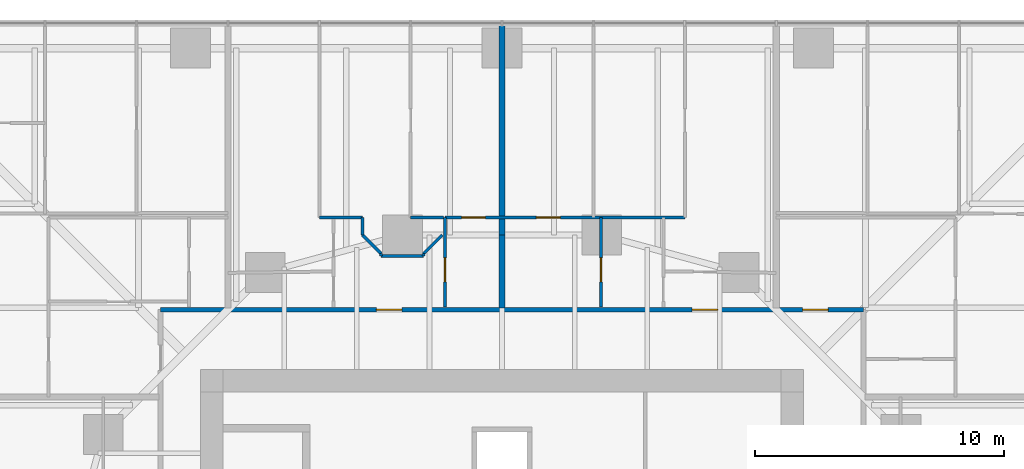
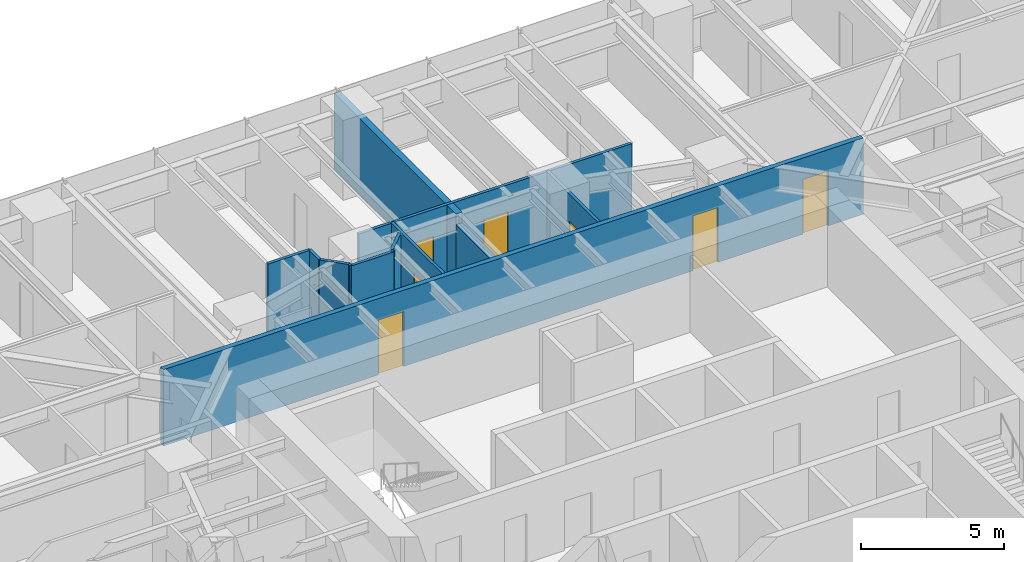
# One storey, part 13 of 16: 14 walls, 7 doors, 7 openings.
"""IFC4 building model written with IfcOpenShell, lengths in metres."""

from ifc_helpers import new_model, si_unit, direction, frame, frame_2d, origin, place, context, subcontext, project, spatial, rectangle, extrude, material, layer, layer_set, type_object, element, fill, save


model = new_model("IFC4")

# Units and contexts
model_context = context("Model", 3, precision=1e-05, world=origin(), true_north=direction((0.0, 1.0)))
body_context = subcontext(model_context, "Body", "Model", "MODEL_VIEW")
ifc_project = project(units=[si_unit("LENGTHUNIT", "METRE"), si_unit("AREAUNIT", "SQUARE_METRE"), si_unit("VOLUMEUNIT", "CUBIC_METRE"), si_unit("PLANEANGLEUNIT", "RADIAN"), si_unit("MASSUNIT", "GRAM", prefix="KILO")], contexts=[model_context])

# Site, building, storey
site_placement = place(None, origin())
site = spatial("IfcSite", under=ifc_project, at=site_placement, CompositionType="ELEMENT")
building_placement = place(site_placement, origin())
building = spatial("IfcBuilding", under=site, at=building_placement, Name="Torsade Residences", CompositionType="ELEMENT")
storey_placement = place(building_placement, frame((0.0, 0.0, 35.39990234375)))
storey = spatial("IfcBuildingStorey", under=building, at=storey_placement, Name="L09", CompositionType="ELEMENT", Elevation=35.39990234375)

# Wall, openings, doors
ifc_material_1 = material(Name="Plasterboard on steel stud", Category="steel")
ifc_layer_1 = layer(ifc_material_1, 0.199951171875)
ifc_layer_set_1 = layer_set([ifc_layer_1], Name="Plasterboard on steel stud")
wall_type_1 = type_object("IfcWallType", Name="CORRIDOR WALL 200", PredefinedType="PARTITIONING", material=ifc_layer_set_1)
wall_1_placement = place(storey_placement, frame((54.5, 44.5, 0.0), z_axis=(0.0, 0.0, 1.0), x_axis=(-1.0, 0.0, 0.0)))
wall_1 = element("IfcWall", 1, at=wall_1_placement, inside=storey, type_object=wall_type_1, Name="Corridor wall L09", PredefinedType="PARTITIONING", context=body_context, shape_type="SweptSolid", body=[
    extrude(rectangle(XDim=28.199951171875, YDim=0.199951171875, at=frame_2d((14.10009765625, 0.0))), origin(), (0.0, 0.0, 1.0), 3.25),
])
opening_1_placement = place(wall_1_placement, frame((5.853515625, 0.0, 0.0)))
opening_1 = element("IfcOpeningElement", 2, at=opening_1_placement, cuts=wall_1, Name="Opening D01", PredefinedType="OPENING", context=body_context, shape_type="SweptSolid", body=[
    extrude(rectangle(XDim=1.02001953125, YDim=2.340087890625, at=frame_2d((0.510009765625, 1.169921875))), frame((0.0, 0.10986328125, 0.0), z_axis=(0.0, -1.0, 0.0), x_axis=(1.0, 0.0, 0.0)), (0.0, 0.0, 1.0), 0.219970703125),
])
opening_2_placement = place(wall_1_placement, frame((18.518310546875, 0.0, 0.0)))
opening_2 = element("IfcOpeningElement", 3, at=opening_2_placement, cuts=wall_1, Name="Opening D01", PredefinedType="OPENING", context=body_context, shape_type="SweptSolid", body=[
    extrude(rectangle(XDim=1.02001953125, YDim=2.340087890625, at=frame_2d((0.510009765625, 1.169921875))), frame((0.0, 0.10986328125, 0.0), z_axis=(0.0, -1.0, 0.0), x_axis=(1.0, 0.0, 0.0)), (0.0, 0.0, 1.0), 0.219970703125),
])
opening_3_placement = place(wall_1_placement, frame((1.4150390625, 0.0, 0.0)))
opening_3 = element("IfcOpeningElement", 4, at=opening_3_placement, cuts=wall_1, Name="Opening D01", PredefinedType="OPENING", context=body_context, shape_type="SweptSolid", body=[
    extrude(rectangle(XDim=1.02001953125, YDim=2.340087890625, at=frame_2d((0.510009765625, 1.169921875))), frame((0.0, 0.10986328125, 0.0), z_axis=(0.0, -1.0, 0.0), x_axis=(1.0, 0.0, 0.0)), (0.0, 0.0, 1.0), 0.219970703125),
])
ifc_material_2 = material(Name="Solid-core timber fire door", Category="wood")
door_type_1 = type_object("IfcDoorType", Name="APARTMENT ENTRY DOOR 1020x2340", OperationType="NOTDEFINED", PredefinedType="DOOR", material=ifc_material_2)
door_1_placement = place(opening_1_placement, origin())
door_1 = element("IfcDoor", 5, at=door_1_placement, inside=storey, type_object=door_type_1, Name="Door Residential corridor to Kitchen and dining", OperationType="SINGLE_SWING_LEFT", OverallHeight=2.340087890625, OverallWidth=1.02001953125, PredefinedType="DOOR", context=body_context, shape_type="SweptSolid", body=[
    extrude(rectangle(XDim=1.02001953125, YDim=2.340087890625, at=frame_2d((0.510009765625, 1.169921875))), frame((0.0, 0.02490234375, 0.0), z_axis=(0.0, -1.0, 0.0), x_axis=(1.0, 0.0, 0.0)), (0.0, 0.0, 1.0), 0.050048828125),
])
fill(opening_1, door_1)
door_2_placement = place(opening_2_placement, origin())
door_2 = element("IfcDoor", 6, at=door_2_placement, inside=storey, type_object=door_type_1, Name="Door Residential corridor to Kitchen and dining", OperationType="SINGLE_SWING_RIGHT", OverallHeight=2.340087890625, OverallWidth=1.02001953125, PredefinedType="DOOR", context=body_context, shape_type="SweptSolid", body=[
    extrude(rectangle(XDim=1.02001953125, YDim=2.340087890625, at=frame_2d((0.510009765625, 1.169921875))), frame((0.0, 0.02490234375, 0.0), z_axis=(0.0, -1.0, 0.0), x_axis=(1.0, 0.0, 0.0)), (0.0, 0.0, 1.0), 0.050048828125),
])
fill(opening_2, door_2)
door_3_placement = place(opening_3_placement, origin())
door_3 = element("IfcDoor", 7, at=door_3_placement, inside=storey, type_object=door_type_1, Name="Door Residential corridor to Kitchen and dining", OperationType="SINGLE_SWING_LEFT", OverallHeight=2.340087890625, OverallWidth=1.02001953125, PredefinedType="DOOR", context=body_context, shape_type="SweptSolid", body=[
    extrude(rectangle(XDim=1.02001953125, YDim=2.340087890625, at=frame_2d((0.510009765625, 1.169921875))), frame((0.0, 0.02490234375, 0.0), z_axis=(0.0, -1.0, 0.0), x_axis=(1.0, 0.0, 0.0)), (0.0, 0.0, 1.0), 0.050048828125),
])
fill(opening_3, door_3)

# Wall, opening, door
ifc_material_3 = material(Name="Plasterboard on steel stud", Category="steel")
ifc_layer_2 = layer(ifc_material_3, 0.1201171875)
ifc_layer_set_2 = layer_set([ifc_layer_2], Name="Plasterboard on steel stud")
wall_type_2 = type_object("IfcWallType", Name="PARTITION 120", PredefinedType="PARTITIONING", material=ifc_layer_set_2)
wall_2_placement = place(storey_placement, frame((43.97119140625, 48.199951171875, 0.0), z_axis=(0.0, 0.0, 1.0), x_axis=(0.0, -1.0, 0.0)))
wall_2 = element("IfcWall", 8, at=wall_2_placement, inside=storey, type_object=wall_type_2, Name="Partition L09", PredefinedType="PARTITIONING", context=body_context, shape_type="SweptSolid", body=[
    extrude(rectangle(XDim=3.599853515625, YDim=0.1201171875, at=frame_2d((1.7998046875, 0.0))), origin(), (0.0, 0.0, 1.0), 3.25),
])
opening_4_placement = place(wall_2_placement, frame((1.6201171875, 0.0, 0.0)))
opening_4 = element("IfcOpeningElement", 9, at=opening_4_placement, cuts=wall_2, Name="Opening D05", PredefinedType="OPENING", context=body_context, shape_type="SweptSolid", body=[
    extrude(rectangle(XDim=0.9599609375, YDim=2.10009765625, at=frame_2d((0.47998046875, 1.050048828125))), frame((0.0, 0.070068359375, 0.0), z_axis=(0.0, -1.0, 0.0), x_axis=(1.0, 0.0, 0.0)), (0.0, 0.0, 1.0), 0.14013671875),
])
ifc_material_4 = material(Name="Hollow-core timber door in a steel cavity frame", Category="steel")
door_type_2 = type_object("IfcDoorType", Name="BATHROOM CAVITY SLIDING DOOR 960", OperationType="SLIDING_TO_LEFT", PredefinedType="DOOR", material=ifc_material_4)
door_4_placement = place(opening_4_placement, origin())
door_4 = element("IfcDoor", 10, at=door_4_placement, inside=storey, type_object=door_type_2, Name="Door Ensuite to Bathroom", OperationType="SLIDING_TO_LEFT", OverallHeight=2.10009765625, OverallWidth=0.9599609375, PredefinedType="DOOR", context=body_context, shape_type="SweptSolid", body=[
    extrude(rectangle(XDim=0.9599609375, YDim=2.10009765625, at=frame_2d((0.47998046875, 1.050048828125))), frame((0.0, 0.02490234375, 0.0), z_axis=(0.0, -1.0, 0.0), x_axis=(1.0, 0.0, 0.0)), (0.0, 0.0, 1.0), 0.050048828125),
])
fill(opening_4, door_4)

# Wall, openings, doors
wall_3_placement = place(storey_placement, frame((37.7080078125, 48.199951171875, 0.0), z_axis=(0.0, 0.0, 1.0), x_axis=(1.0, 0.0, 0.0)))
wall_3 = element("IfcWall", 11, at=wall_3_placement, inside=storey, type_object=wall_type_2, Name="Partition L09", PredefinedType="PARTITIONING", context=body_context, shape_type="SweptSolid", body=[
    extrude(rectangle(XDim=9.625244140625, YDim=0.1201171875, at=frame_2d((4.8125, 0.0))), origin(), (0.0, 0.0, 1.0), 3.25),
])
opening_5_placement = place(wall_3_placement, frame((0.666015625, 0.0, 0.0)))
opening_5 = element("IfcOpeningElement", 12, at=opening_5_placement, cuts=wall_3, Name="Opening D05", PredefinedType="OPENING", context=body_context, shape_type="SweptSolid", body=[
    extrude(rectangle(XDim=0.9599609375, YDim=2.10009765625, at=frame_2d((0.47998046875, 1.050048828125))), frame((0.0, 0.070068359375, 0.0), z_axis=(0.0, -1.0, 0.0), x_axis=(1.0, 0.0, 0.0)), (0.0, 0.0, 1.0), 0.14013671875),
])
opening_6_placement = place(wall_3_placement, frame((3.67041015625, 0.0, 0.0)))
opening_6 = element("IfcOpeningElement", 13, at=opening_6_placement, cuts=wall_3, Name="Opening D05", PredefinedType="OPENING", context=body_context, shape_type="SweptSolid", body=[
    extrude(rectangle(XDim=0.9599609375, YDim=2.10009765625, at=frame_2d((0.47998046875, 1.050048828125))), frame((0.0, 0.070068359375, 0.0), z_axis=(0.0, -1.0, 0.0), x_axis=(1.0, 0.0, 0.0)), (0.0, 0.0, 1.0), 0.14013671875),
])
door_5_placement = place(opening_5_placement, origin())
door_5 = element("IfcDoor", 14, at=door_5_placement, inside=storey, type_object=door_type_2, Name="Door Ensuite to Living room", OperationType="SLIDING_TO_LEFT", OverallHeight=2.10009765625, OverallWidth=0.9599609375, PredefinedType="DOOR", context=body_context, shape_type="SweptSolid", body=[
    extrude(rectangle(XDim=0.9599609375, YDim=2.10009765625, at=frame_2d((0.47998046875, 1.050048828125))), frame((0.0, 0.02490234375, 0.0), z_axis=(0.0, -1.0, 0.0), x_axis=(1.0, 0.0, 0.0)), (0.0, 0.0, 1.0), 0.050048828125),
])
fill(opening_5, door_5)
door_6_placement = place(opening_6_placement, origin())
door_6 = element("IfcDoor", 15, at=door_6_placement, inside=storey, type_object=door_type_2, Name="Door Bathroom to Bedroom 1", OperationType="SLIDING_TO_LEFT", OverallHeight=2.10009765625, OverallWidth=0.9599609375, PredefinedType="DOOR", context=body_context, shape_type="SweptSolid", body=[
    extrude(rectangle(XDim=0.9599609375, YDim=2.10009765625, at=frame_2d((0.47998046875, 1.050048828125))), frame((0.0, 0.02490234375, 0.0), z_axis=(0.0, -1.0, 0.0), x_axis=(1.0, 0.0, 0.0)), (0.0, 0.0, 1.0), 0.050048828125),
])
fill(opening_6, door_6)

# Wall, opening, door
wall_4_placement = place(storey_placement, frame((37.7080078125, 48.199951171875, 0.0), z_axis=(0.0, 0.0, 1.0), x_axis=(0.0, -1.0, 0.0)))
wall_4 = element("IfcWall", 16, at=wall_4_placement, inside=storey, type_object=wall_type_2, Name="Partition L09", PredefinedType="PARTITIONING", context=body_context, shape_type="SweptSolid", body=[
    extrude(rectangle(XDim=3.599853515625, YDim=0.1201171875, at=frame_2d((1.7998046875, 0.0))), origin(), (0.0, 0.0, 1.0), 3.25),
])
opening_7_placement = place(wall_4_placement, frame((1.6201171875, 0.0, 0.0)))
opening_7 = element("IfcOpeningElement", 17, at=opening_7_placement, cuts=wall_4, Name="Opening D05", PredefinedType="OPENING", context=body_context, shape_type="SweptSolid", body=[
    extrude(rectangle(XDim=0.9599609375, YDim=2.10009765625, at=frame_2d((0.47998046875, 1.050048828125))), frame((0.0, 0.070068359375, 0.0), z_axis=(0.0, -1.0, 0.0), x_axis=(1.0, 0.0, 0.0)), (0.0, 0.0, 1.0), 0.14013671875),
])
door_7_placement = place(opening_7_placement, origin())
door_7 = element("IfcDoor", 18, at=door_7_placement, inside=storey, type_object=door_type_2, Name="Door Kitchen and dining to Ensuite", OperationType="SLIDING_TO_LEFT", OverallHeight=2.10009765625, OverallWidth=0.9599609375, PredefinedType="DOOR", context=body_context, shape_type="SweptSolid", body=[
    extrude(rectangle(XDim=0.9599609375, YDim=2.10009765625, at=frame_2d((0.47998046875, 1.050048828125))), frame((0.0, 0.02490234375, 0.0), z_axis=(0.0, -1.0, 0.0), x_axis=(1.0, 0.0, 0.0)), (0.0, 0.0, 1.0), 0.050048828125),
])
fill(opening_7, door_7)

# Walls
wall_5_placement = place(storey_placement, frame((32.666748046875, 48.199951171875, 0.0), z_axis=(0.0, 0.0, 1.0), x_axis=(1.0, 0.0, 0.0)))
element("IfcWall", 19, at=wall_5_placement, inside=storey, type_object=wall_type_2, Name="Partition L09", PredefinedType="PARTITIONING", context=body_context, shape_type="SweptSolid", body=[
    extrude(rectangle(XDim=1.733154296875, YDim=0.1201171875, at=frame_2d((0.86669921875, 0.0))), origin(), (0.0, 0.0, 1.0), 3.25),
])
wall_6_placement = place(storey_placement, frame((34.39990234375, 48.199951171875, 0.0), z_axis=(0.0, 0.0, 1.0), x_axis=(0.0, -1.0, 0.0)))
element("IfcWall", 20, at=wall_6_placement, inside=storey, type_object=wall_type_2, Name="Partition L09", PredefinedType="PARTITIONING", context=body_context, shape_type="SweptSolid", body=[
    extrude(rectangle(XDim=0.699951171875, YDim=0.1201171875, at=frame_2d((0.35009765625, 0.0))), origin(), (0.0, 0.0, 1.0), 3.25),
])
wall_7_placement = place(storey_placement, frame((34.39990234375, 47.5, 0.0), z_axis=(0.0, 0.0, 1.0), x_axis=(0.707106781187, -0.707106781187, 0.0)))
element("IfcWall", 21, at=wall_7_placement, inside=storey, type_object=wall_type_2, Name="Partition L09", PredefinedType="PARTITIONING", context=body_context, shape_type="SweptSolid", body=[
    extrude(rectangle(XDim=1.060546875, YDim=0.1201171875, at=frame_2d((0.5302734375, 0.0))), origin(), (0.0, 0.0, 1.0), 3.25),
])
wall_8_placement = place(storey_placement, frame((35.14990234375, 46.64990234375, 0.0), z_axis=(0.0, 0.0, 1.0), x_axis=(1.0, 0.0, 0.0)))
element("IfcWall", 22, at=wall_8_placement, inside=storey, type_object=wall_type_2, Name="Partition L09", PredefinedType="PARTITIONING", context=body_context, shape_type="SweptSolid", body=[
    extrude(rectangle(XDim=1.7001953125, YDim=0.1201171875, at=frame_2d((0.85009765625, 0.0))), origin(), (0.0, 0.0, 1.0), 3.25),
])
wall_9_placement = place(storey_placement, frame((36.85009765625, 46.75, 0.0), z_axis=(0.0, 0.0, 1.0), x_axis=(0.707106781187, 0.707106781187, 0.0)))
element("IfcWall", 23, at=wall_9_placement, inside=storey, type_object=wall_type_2, Name="Partition L09", PredefinedType="PARTITIONING", context=body_context, shape_type="SweptSolid", body=[
    extrude(rectangle(XDim=1.060546875, YDim=0.1201171875, at=frame_2d((0.5302734375, 0.0))), origin(), (0.0, 0.0, 1.0), 3.25),
])
wall_10_placement = place(storey_placement, frame((37.64990234375, 48.199951171875, 0.0), z_axis=(0.0, 0.0, 1.0), x_axis=(-1.0, 0.0, 0.0)))
element("IfcWall", 24, at=wall_10_placement, inside=storey, type_object=wall_type_2, Name="Partition L09", PredefinedType="PARTITIONING", context=body_context, shape_type="SweptSolid", body=[
    extrude(rectangle(XDim=1.316650390625, YDim=0.1201171875, at=frame_2d((0.658203125, 0.0))), origin(), (0.0, 0.0, 1.0), 3.25),
])
for number, where, z_axis, x_axis, name in (
    (25, (35.14990234375, 46.64990234375, 0.0), (0.0, 0.0, 1.0), (0.0, 1.0, 0.0), "Partition L09"),
    (26, (36.85009765625, 46.64990234375, 0.0), (0.0, 0.0, 1.0), (0.0, 1.0, 0.0), "Partition L09"),
):
    element("IfcWall", number, at=place(storey_placement, frame(where, z_axis=z_axis, x_axis=x_axis)), inside=storey, type_object=wall_type_2, Name=name, PredefinedType="PARTITIONING", context=body_context, shape_type="SweptSolid", body=[
        extrude(rectangle(XDim=0.10009765625, YDim=0.1201171875, at=frame_2d((0.050048828125, 0.0))), origin(), (0.0, 0.0, 1.0), 3.25),
    ])
ifc_material_5 = material(Name="Masonry-lined stud party wall", Category="masonry")
ifc_layer_3 = layer(ifc_material_5, 0.25)
ifc_layer_set_3 = layer_set([ifc_layer_3], Name="Masonry-lined stud party wall")
wall_type_3 = type_object("IfcWallType", Name="PARTY WALL 250", PredefinedType="PARTITIONING", material=ifc_layer_set_3)
wall_11_placement = place(storey_placement, frame((40.0, 56.0, 0.0), z_axis=(0.0, 0.0, 1.0), x_axis=(0.0, -1.0, 0.0)))
element("IfcWall", 27, at=wall_11_placement, inside=storey, type_object=wall_type_3, Name="Party wall L09", PredefinedType="PARTITIONING", context=body_context, shape_type="SweptSolid", body=[
    extrude(rectangle(XDim=8.5, YDim=0.25, at=frame_2d((4.25, 0.0))), origin(), (0.0, 0.0, 1.0), 3.25),
])
wall_12_placement = place(storey_placement, frame((40.0, 47.5, 0.0), z_axis=(0.0, 0.0, 1.0), x_axis=(0.0, -1.0, 0.0)))
element("IfcWall", 28, at=wall_12_placement, inside=storey, type_object=wall_type_3, Name="Party wall L09", PredefinedType="PARTITIONING", context=body_context, shape_type="SweptSolid", body=[
    extrude(rectangle(XDim=2.93994140625, YDim=0.25, at=frame_2d((1.469970703125, 0.0))), origin(), (0.0, 0.0, 1.0), 2.796142578125),
])

save(model, "model.ifc")
